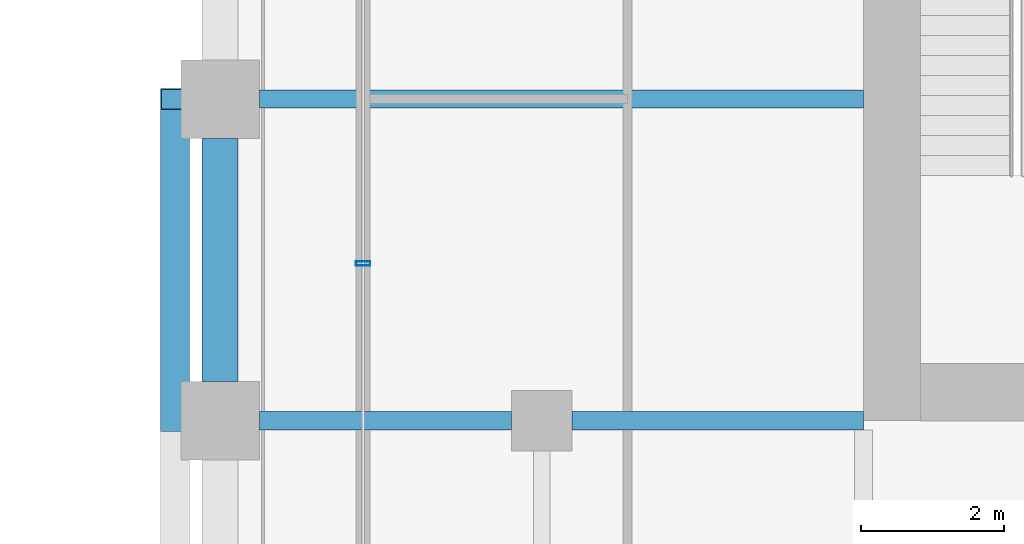
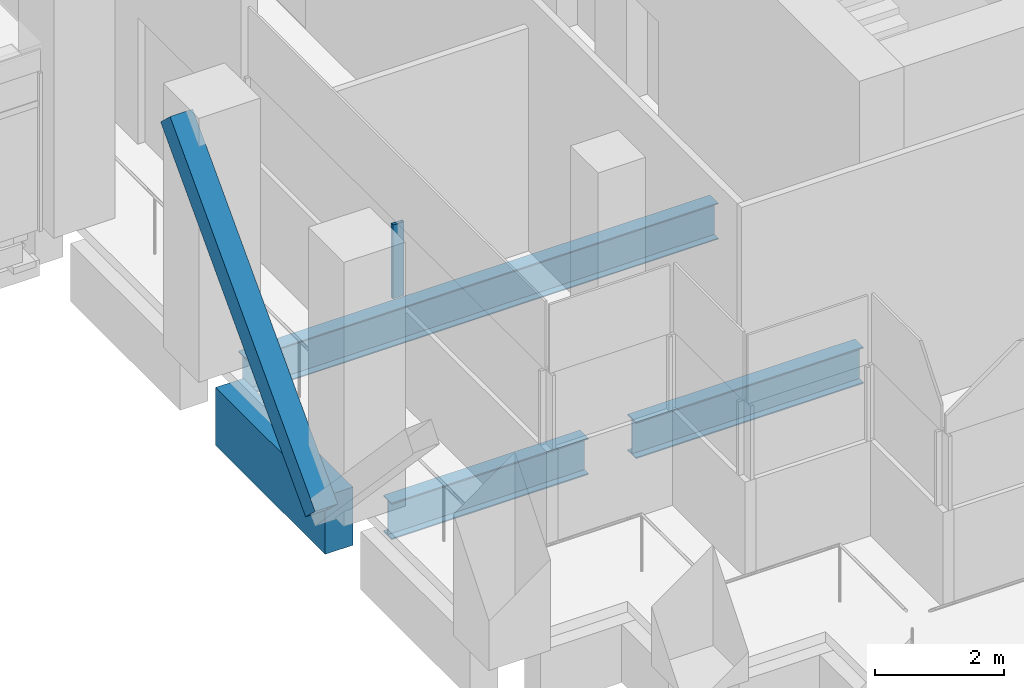
# One storey, part 25 of 44: 4 beams, 2 members, 1 element without a shape of its own.
"""IFC4 building model written with IfcOpenShell, lengths in metres."""

from ifc_helpers import new_model, si_unit, direction, frame, origin, origin_2d, place, context, subcontext, project, spatial, rectangle, hollow_rectangle, i_section, extrude, material, material_profile, profile_set, type_object, element, aggregate, save


model = new_model("IFC4")

# Units and contexts
model_context = context("Model", 3, precision=1e-05, world=origin(), true_north=direction((0.0, 1.0)))
body_context = subcontext(model_context, "Body", "Model", "MODEL_VIEW")
ifc_project = project(units=[si_unit("LENGTHUNIT", "METRE"), si_unit("AREAUNIT", "SQUARE_METRE"), si_unit("VOLUMEUNIT", "CUBIC_METRE"), si_unit("PLANEANGLEUNIT", "RADIAN"), si_unit("MASSUNIT", "GRAM", prefix="KILO")], contexts=[model_context])

# Site, building, storey
site_placement = place(None, origin())
site = spatial("IfcSite", under=ifc_project, at=site_placement, CompositionType="ELEMENT")
building_placement = place(site_placement, origin())
building = spatial("IfcBuilding", under=site, at=building_placement, Name="Altepetl Exchange Towers", CompositionType="ELEMENT")
storey_placement = place(building_placement, frame((0.0, 0.0, 87.0)))
storey = spatial("IfcBuildingStorey", under=building, at=storey_placement, Name="L21 Refuge", CompositionType="ELEMENT", Elevation=87.0)

# Member
ifc_material_1 = material(Name="Steel S355", Category="steel")
ifc_material_profile_1 = material_profile(ifc_material_1, hollow_rectangle(XDim=0.406005859375, YDim=0.406005859375, WallThickness=0.014892578125, at=origin_2d()), Name="HSS406X406X15.9")
ifc_profile_set_1 = profile_set([ifc_material_profile_1], Name="Steel S355")
member_type_1 = type_object("IfcMemberType", Name="Belt diagonal HSS406X406X15.9", PredefinedType="BRACE", material=ifc_profile_set_1)
member_1_placement = place(storey_placement, frame((93.8701171875, 40.5, 4.75), z_axis=(0.0, -0.687744647911, -0.725952683906), x_axis=(1.0, 0.0, 0.0)))
element("IfcMember", 1, at=member_1_placement, inside=storey, type_object=member_type_1, Name="brc:B:L21:015", PredefinedType="BRACE", context=body_context, shape_type="SweptSolid", body=[
    extrude(hollow_rectangle(XDim=0.406005859375, YDim=0.406005859375, WallThickness=0.014892578125, at=origin_2d()), origin(), (0.0, 0.0, 1.0), 6.543212890625),
])

# Beams
ifc_material_profile_2 = material_profile(ifc_material_1, i_section(OverallWidth=0.25390625, OverallDepth=0.68798828125, WebThickness=0.01318359375, FlangeThickness=0.02099609375, at=origin_2d()), Name="W27X102")
ifc_profile_set_2 = profile_set([ifc_material_profile_2], Name="Steel S355")
beam_type_1 = type_object("IfcBeamType", Name="Floor beam W27X102", PredefinedType="BEAM", material=ifc_profile_set_2)
beam_1_placement = place(storey_placement, frame((95.050048828125, 40.5, -0.5439453125), z_axis=(1.0, 0.0, 0.0), x_axis=(0.0, 1.0, 0.0)))
element("IfcBeam", 2, at=beam_1_placement, inside=storey, type_object=beam_type_1, Name="bm:B:L21:012", PredefinedType="BEAM", context=body_context, shape_type="SweptSolid", body=[
    extrude(i_section(OverallWidth=0.25390625, OverallDepth=0.68798828125, WebThickness=0.01318359375, FlangeThickness=0.02099609375, at=origin_2d()), origin(), (0.0, 0.0, 1.0), 8.449951171875),
])
ifc_material_profile_3 = material_profile(ifc_material_1, i_section(OverallWidth=0.256103515625, OverallDepth=0.69189453125, WebThickness=0.014404296875, FlangeThickness=0.02294921875, at=origin_2d()), Name="W27X114")
ifc_profile_set_3 = profile_set([ifc_material_profile_3], Name="Steel S355")
beam_type_2 = type_object("IfcBeamType", Name="Girder W27X114", PredefinedType="BEAM", material=ifc_profile_set_3)
beam_2_placement = place(storey_placement, frame((103.5, 36.0, -0.5458984375), z_axis=(-1.0, 0.0, 0.0), x_axis=(0.0, -1.0, 0.0)))
element("IfcBeam", 3, at=beam_2_placement, inside=storey, type_object=beam_type_2, Name="gd:B:L21:006", PredefinedType="BEAM", context=body_context, shape_type="SweptSolid", body=[
    extrude(i_section(OverallWidth=0.256103515625, OverallDepth=0.69189453125, WebThickness=0.014404296875, FlangeThickness=0.02294921875, at=origin_2d()), origin(), (0.0, 0.0, 1.0), 4.074951171875),
])
beam_3_placement = place(storey_placement, frame((98.574951171875, 36.0, -0.5458984375), z_axis=(-1.0, 0.0, 0.0), x_axis=(0.0, -1.0, 0.0)))
element("IfcBeam", 4, at=beam_3_placement, inside=storey, type_object=beam_type_2, Name="gd:B:L21:007", PredefinedType="BEAM", context=body_context, shape_type="SweptSolid", body=[
    extrude(i_section(OverallWidth=0.256103515625, OverallDepth=0.69189453125, WebThickness=0.014404296875, FlangeThickness=0.02294921875, at=origin_2d()), origin(), (0.0, 0.0, 1.0), 3.52490234375),
])

# Curtain wall, member
ifc_material_2 = material(Name="Aluminium 6063-T6 glazing", Category="aluminium")
curtain_wall_type = type_object("IfcCurtainWallType", Name="Refuge slit glazing system", PredefinedType="NOTDEFINED", material=ifc_material_2)
curtain_wall_placement = place(storey_placement, origin())
curtain_wall = element("IfcCurtainWall", 5, at=curtain_wall_placement, inside=storey, type_object=curtain_wall_type, Name="CW3 run", PredefinedType="NOTDEFINED")
ifc_material_3 = material(Name="Aluminium 6063-T6", Category="aluminium")
ifc_material_profile_4 = material_profile(ifc_material_3, hollow_rectangle(XDim=0.06005859375, YDim=0.199951171875, WallThickness=0.0029296875, at=origin_2d()), Name="Mullion 60x200 aluminium")
ifc_profile_set_4 = profile_set([ifc_material_profile_4], Name="Aluminium 6063-T6")
member_type_2 = type_object("IfcMemberType", Name="Mullion 60x200 aluminium", PredefinedType="MULLION", material=ifc_profile_set_4)
member_2_placement = place(storey_placement, frame((96.5, 38.199951171875, 1.800048828125), z_axis=(0.0, 0.0, 1.0), x_axis=(0.0, -1.0, 0.0)))
member_2 = element("IfcMember", 6, at=member_2_placement, type_object=member_type_2, Name="MU2 mullion", PredefinedType="MULLION", context=body_context, shape_type="SweptSolid", body=[
    extrude(hollow_rectangle(XDim=0.06005859375, YDim=0.199951171875, WallThickness=0.0029296875, at=origin_2d()), origin(), (0.0, 0.0, 1.0), 1.39990234375),
])
aggregate(curtain_wall, [member_2])

# Beam
ifc_material_4 = material(Name="Concrete C50/60 precast with cantera rosa facing", Category="concrete")
ifc_material_profile_5 = material_profile(ifc_material_4, rectangle(XDim=0.5, YDim=1.10009765625, at=origin_2d()), Name="500 x 1100")
ifc_profile_set_5 = profile_set([ifc_material_profile_5], Name="Concrete C50/60 precast with cantera rosa facing")
beam_type_3 = type_object("IfcBeamType", Name="Spandrel beam 500x1100 cantera rosa", PredefinedType="SPANDREL", material=ifc_profile_set_5)
beam_4_placement = place(storey_placement, frame((94.5, 39.949951171875, -0.75), z_axis=(0.0, -1.0, 0.0), x_axis=(1.0, 0.0, 0.0)))
element("IfcBeam", 7, at=beam_4_placement, inside=storey, type_object=beam_type_3, Name="sp:B:L21:030", PredefinedType="SPANDREL", context=body_context, shape_type="SweptSolid", body=[
    extrude(rectangle(XDim=0.5, YDim=1.10009765625, at=origin_2d()), origin(), (0.0, 0.0, 1.0), 3.39990234375),
])

save(model, "model.ifc")
